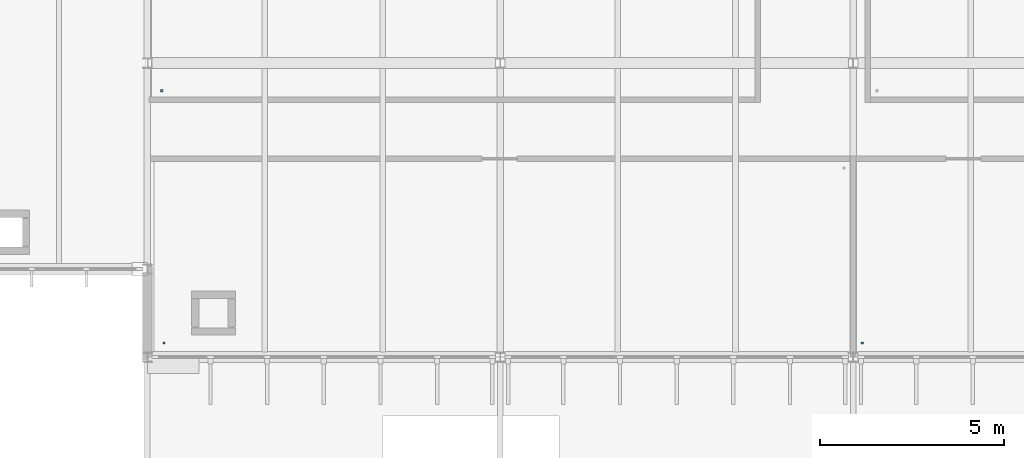
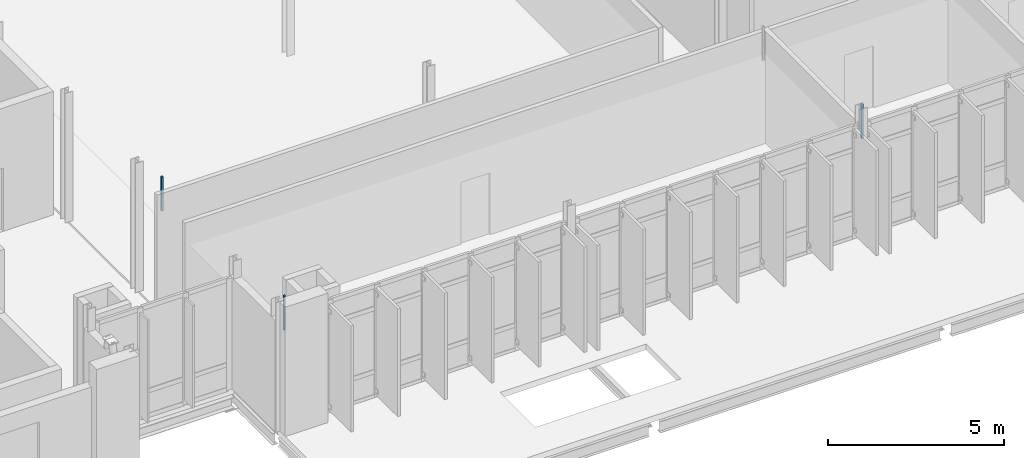
# One storey, part 84 of 107: 3 discrete accessories.
"""IFC4 building model written with IfcOpenShell, lengths in metres."""

from ifc_helpers import new_model, si_unit, direction, frame, origin, place, context, subcontext, project, spatial, polyline, outline, extrude, material, type_object, element, save


model = new_model("IFC4")

# Units and contexts
model_context = context("Model", 3, precision=1e-05, world=origin(), true_north=direction((0.0, 1.0)))
body_context = subcontext(model_context, "Body", "Model", "MODEL_VIEW")
ifc_project = project(units=[si_unit("LENGTHUNIT", "METRE"), si_unit("AREAUNIT", "SQUARE_METRE"), si_unit("VOLUMEUNIT", "CUBIC_METRE"), si_unit("PLANEANGLEUNIT", "RADIAN"), si_unit("MASSUNIT", "GRAM", prefix="KILO")], contexts=[model_context])

# Site, building, storey
site_placement = place(None, origin())
site = spatial("IfcSite", under=ifc_project, at=site_placement, CompositionType="ELEMENT")
building_placement = place(site_placement, origin())
building = spatial("IfcBuilding", under=site, at=building_placement, Name="Dunescarp Central Library", CompositionType="ELEMENT")
storey_placement = place(building_placement, frame((0.0, 0.0, 5.10009765625)))
storey = spatial("IfcBuildingStorey", under=building, at=storey_placement, Name="L01", CompositionType="ELEMENT", Elevation=5.10009765625)

# Discrete accessories
ifc_material = material(Name="Stainless steel Grade 316L", Category="steel")
discrete_accessory_type = type_object("IfcDiscreteAccessoryType", Name="ARC-ACC-BRK", PredefinedType="BRACKET", material=ifc_material)
discrete_accessory_1_placement = place(storey_placement, frame((0.0, 0.0, 3.059814453125)))
element("IfcDiscreteAccessory", 1, at=discrete_accessory_1_placement, inside=storey, type_object=discrete_accessory_type, Name="L01 ceiling hanger CLG-L01-146-H1", PredefinedType="BRACKET", context=body_context, shape_type="SweptSolid", body=[
    extrude(outline(polyline([(130.02001953125, 5.159912109375), (130.080078125, 5.159912109375), (130.080078125, 5.219970703125), (130.02001953125, 5.219970703125), (130.02001953125, 5.159912109375)])), origin(), (0.0, 0.0, 1.0), 1.190185546875),
])
discrete_accessory_2_placement = place(storey_placement, frame((0.0, 0.0, 3.059814453125)))
element("IfcDiscreteAccessory", 2, at=discrete_accessory_2_placement, inside=storey, type_object=discrete_accessory_type, Name="L01 ceiling hanger CLG-L01-147-H1", PredefinedType="BRACKET", context=body_context, shape_type="SweptSolid", body=[
    extrude(outline(polyline([(149.02001953125, 5.159912109375), (149.080078125, 5.159912109375), (149.080078125, 5.219970703125), (149.02001953125, 5.219970703125), (149.02001953125, 5.159912109375)])), origin(), (0.0, 0.0, 1.0), 1.190185546875),
])
discrete_accessory_3_placement = place(storey_placement, frame((0.0, 0.0, 3.059814453125)))
element("IfcDiscreteAccessory", 3, at=discrete_accessory_3_placement, inside=storey, type_object=discrete_accessory_type, Name="L01 ceiling hanger CLG-L01-148-H1", PredefinedType="BRACKET", context=body_context, shape_type="SweptSolid", body=[
    extrude(outline(polyline([(129.9599609375, 12.02001953125), (130.02001953125, 12.02001953125), (130.02001953125, 12.080078125), (129.9599609375, 12.080078125), (129.9599609375, 12.02001953125)])), origin(), (0.0, 0.0, 1.0), 1.190185546875),
])

save(model, "model.ifc")
